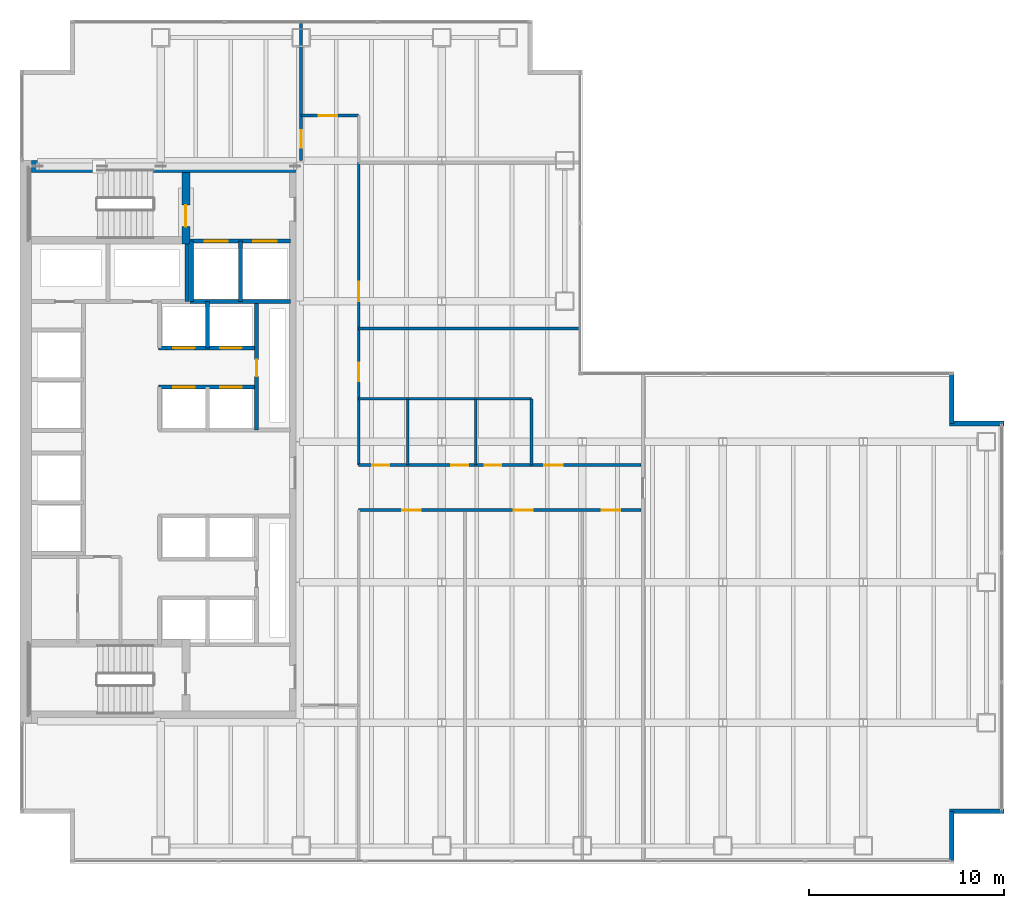
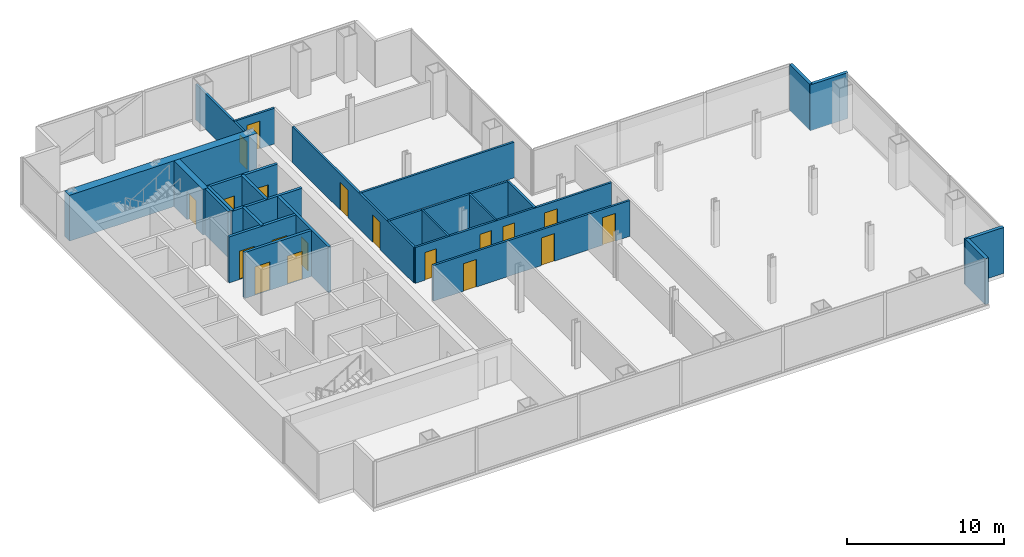
# One storey, part 21 of 24: 25 walls, 19 doors, 19 openings.
"""IFC4 building model written with IfcOpenShell, lengths in metres."""

from ifc_helpers import new_model, si_unit, direction, frame, frame_2d, origin, place, context, subcontext, project, spatial, rectangle, extrude, material, layer, layer_set, type_object, element, fill, save


model = new_model("IFC4")

# Units and contexts
model_context = context("Model", 3, precision=1e-05, world=origin(), true_north=direction((0.0, 1.0)))
body_context = subcontext(model_context, "Body", "Model", "MODEL_VIEW")
ifc_project = project(units=[si_unit("LENGTHUNIT", "METRE"), si_unit("AREAUNIT", "SQUARE_METRE"), si_unit("VOLUMEUNIT", "CUBIC_METRE"), si_unit("PLANEANGLEUNIT", "RADIAN"), si_unit("MASSUNIT", "GRAM", prefix="KILO")], contexts=[model_context])

# Site, building, storey
site_placement = place(None, origin())
site = spatial("IfcSite", under=ifc_project, at=site_placement, CompositionType="ELEMENT")
building_placement = place(site_placement, origin())
building = spatial("IfcBuilding", under=site, at=building_placement, Name="Cobrela Telecom Tower", CompositionType="ELEMENT")
storey_placement = place(building_placement, frame((0.0, 0.0, 77.35009765625)))
storey = spatial("IfcBuildingStorey", under=building, at=storey_placement, Name="L19", CompositionType="ELEMENT", Elevation=77.35009765625)

# Walls
ifc_material_1 = material(Name="Concrete C50/60", Category="concrete")
ifc_layer_1 = layer(ifc_material_1, 0.60009765625)
ifc_layer_set_1 = layer_set([ifc_layer_1], Name="Concrete C50/60")
wall_type_1 = type_object("IfcWallType", Name="WALL-CORE-C50-600", PredefinedType="SHEAR", material=ifc_layer_set_1)
wall_1_placement = place(storey_placement, frame((0.60009765625, 35.699951171875, 0.0), z_axis=(0.0, 0.0, 1.0), x_axis=(1.0, 0.0, 0.0)))
element("IfcWall", 1, at=wall_1_placement, inside=storey, type_object=wall_type_1, Name="L19 North Core Shear Wall", PredefinedType="SHEAR", context=body_context, shape_type="SweptSolid", body=[
    extrude(rectangle(XDim=13.7998046875, YDim=0.60009765625, at=frame_2d((6.89990234375, 0.0))), origin(), (0.0, 0.0, 1.0), 3.56982421875),
])
ifc_material_2 = material(Name="Concrete C40/50", Category="concrete")
ifc_layer_2 = layer(ifc_material_2, 0.239990234375)
ifc_layer_set_2 = layer_set([ifc_layer_2], Name="Concrete C40/50")
wall_type_2 = type_object("IfcWallType", Name="WALL-EXT-300", PredefinedType="STANDARD", material=ifc_layer_set_2)
wall_2_placement = place(storey_placement, frame((47.72998046875, 25.080078125, 0.0), z_axis=(0.0, 0.0, 1.0), x_axis=(0.0, -1.0, 0.0)))
element("IfcWall", 2, at=wall_2_placement, inside=storey, type_object=wall_type_2, Name="L19 Insulated Facade Wall 12", PredefinedType="STANDARD", context=body_context, shape_type="SweptSolid", body=[
    extrude(rectangle(XDim=2.550048828125, YDim=0.239990234375, at=frame_2d((1.27490234375, 0.0))), origin(), (0.0, 0.0, 1.0), 3.56982421875),
])
for number, where, z_axis, x_axis, name in (
    (3, (47.610107421875, 22.530029296875, 0.0), (0.0, 0.0, 1.0), (1.0, 0.0, 0.0), "L19 Insulated Facade Wall 13"),
    (4, (50.39990234375, 2.669921875, 0.0), (0.0, 0.0, 1.0), (-1.0, 0.0, 0.0), "L19 Insulated Facade Wall 15"),
):
    element("IfcWall", number, at=place(storey_placement, frame(where, z_axis=z_axis, x_axis=x_axis)), inside=storey, type_object=wall_type_2, Name=name, PredefinedType="STANDARD", context=body_context, shape_type="SweptSolid", body=[
        extrude(rectangle(XDim=2.789794921875, YDim=0.239990234375, at=frame_2d((1.39501953125, 0.0))), origin(), (0.0, 0.0, 1.0), 3.56982421875),
    ])
wall_3_placement = place(storey_placement, frame((47.72998046875, 2.669921875, 0.0), z_axis=(0.0, 0.0, 1.0), x_axis=(0.0, -1.0, 0.0)))
element("IfcWall", 5, at=wall_3_placement, inside=storey, type_object=wall_type_2, Name="L19 Insulated Facade Wall 16", PredefinedType="STANDARD", context=body_context, shape_type="SweptSolid", body=[
    extrude(rectangle(XDim=2.5498046875, YDim=0.239990234375, at=frame_2d((1.27490234375, 0.0))), origin(), (0.0, 0.0, 1.0), 3.56982421875),
])
ifc_material_3 = material(Name="Fire-Rated Gypsum Plasterboard")
ifc_layer_3 = layer(ifc_material_3, 0.125)
ifc_layer_set_3 = layer_set([ifc_layer_3], Name="Fire-Rated Gypsum Plasterboard")
wall_type_3 = type_object("IfcWallType", Name="WALL-PART-125", PredefinedType="PARTITIONING", material=ifc_layer_set_3)
for number, where, z_axis, x_axis, name in (
    (6, (19.85009765625, 20.39990234375, 0.0), (0.0, 0.0, 1.0), (0.0, 1.0, 0.0), "L19 Interior Partition W-WCV-1"),
    (7, (23.35009765625, 20.39990234375, 0.0), (0.0, 0.0, 1.0), (0.0, 1.0, 0.0), "L19 Interior Partition W-WCV-2"),
):
    element("IfcWall", number, at=place(storey_placement, frame(where, z_axis=z_axis, x_axis=x_axis)), inside=storey, type_object=wall_type_3, Name=name, PredefinedType="PARTITIONING", context=body_context, shape_type="SweptSolid", body=[
        extrude(rectangle(XDim=3.400146484375, YDim=0.125, at=frame_2d((1.7001953125, 0.0))), origin(), (0.0, 0.0, 1.0), 2.782958984375),
    ])

# Wall, openings, doors
ifc_layer_4 = layer(ifc_material_3, 0.14990234375)
ifc_layer_set_4 = layer_set([ifc_layer_4], Name="Fire-Rated Gypsum Plasterboard")
wall_type_4 = type_object("IfcWallType", Name="WALL-PART-150", PredefinedType="PARTITIONING", material=ifc_layer_set_4)
wall_4_placement = place(storey_placement, frame((17.35009765625, 20.39990234375, 0.0), z_axis=(0.0, 0.0, 1.0), x_axis=(0.0, 1.0, 0.0)))
wall_4 = element("IfcWall", 8, at=wall_4_placement, inside=storey, type_object=wall_type_4, Name="L19 Interior Partition W-C-E2", PredefinedType="PARTITIONING", context=body_context, shape_type="SweptSolid", body=[
    extrude(rectangle(XDim=15.5, YDim=0.14990234375, at=frame_2d((7.75, 0.0))), origin(), (0.0, 0.0, 1.0), 2.782958984375),
])
opening_1_placement = place(wall_4_placement, frame((4.300048828125, 0.0, 0.0)))
opening_1 = element("IfcOpeningElement", 9, at=opening_1_placement, cuts=wall_4, Name="Opening DR-67", PredefinedType="OPENING", context=body_context, shape_type="SweptSolid", body=[
    extrude(rectangle(XDim=0.949951171875, YDim=2.14990234375, at=frame_2d((0.47509765625, 1.074951171875))), frame((0.0, 0.0869140625, 0.0), z_axis=(0.0, -1.0, 0.0), x_axis=(1.0, 0.0, 0.0)), (0.0, 0.0, 1.0), 0.173828125),
])
opening_2_placement = place(wall_4_placement, frame((8.39990234375, 0.0, 0.0)))
opening_2 = element("IfcOpeningElement", 10, at=opening_2_placement, cuts=wall_4, Name="Opening DR-31", PredefinedType="OPENING", context=body_context, shape_type="SweptSolid", body=[
    extrude(rectangle(XDim=1.0, YDim=2.14990234375, at=frame_2d((0.5, 1.074951171875))), frame((0.0, 0.0869140625, 0.0), z_axis=(0.0, -1.0, 0.0), x_axis=(1.0, 0.0, 0.0)), (0.0, 0.0, 1.0), 0.173828125),
])
ifc_material_4 = material(Name="Solid Engineered Oak Timber", Category="wood")
door_type_1 = type_object("IfcDoorType", Name="DOOR-INT-1000", OperationType="SINGLE_SWING_LEFT", PredefinedType="DOOR", material=ifc_material_4)
door_1_placement = place(opening_2_placement, origin())
door_1 = element("IfcDoor", 11, at=door_1_placement, inside=storey, type_object=door_type_1, Name="L19 Door DR-31", OperationType="SINGLE_SWING_LEFT", OverallHeight=2.14990234375, OverallWidth=1.0, PredefinedType="DOOR", context=body_context, shape_type="SweptSolid", body=[
    extrude(rectangle(XDim=1.0, YDim=2.14990234375, at=frame_2d((0.5, 1.074951171875))), frame((0.0, 0.02490234375, 0.0), z_axis=(0.0, -1.0, 0.0), x_axis=(1.0, 0.0, 0.0)), (0.0, 0.0, 1.0), 0.050048828125),
])
fill(opening_2, door_1)
door_type_2 = type_object("IfcDoorType", Name="DOOR-INT-950", OperationType="SINGLE_SWING_LEFT", PredefinedType="DOOR", material=ifc_material_4)
door_2_placement = place(opening_1_placement, origin())
door_2 = element("IfcDoor", 12, at=door_2_placement, inside=storey, type_object=door_type_2, Name="L19 Door DR-67", OperationType="SINGLE_SWING_RIGHT", OverallHeight=2.14990234375, OverallWidth=0.949951171875, PredefinedType="DOOR", context=body_context, shape_type="SweptSolid", body=[
    extrude(rectangle(XDim=0.949951171875, YDim=2.14990234375, at=frame_2d((0.47509765625, 1.074951171875))), frame((0.0, 0.02490234375, 0.0), z_axis=(0.0, -1.0, 0.0), x_axis=(1.0, 0.0, 0.0)), (0.0, 0.0, 1.0), 0.050048828125),
])
fill(opening_1, door_2)

wall_5_placement = place(storey_placement, frame((17.35009765625, 18.10009765625, 0.0), z_axis=(0.0, 0.0, 1.0), x_axis=(1.0, 0.0, 0.0)))
wall_5 = element("IfcWall", 13, at=wall_5_placement, inside=storey, type_object=wall_type_4, Name="L19 Interior Partition W-C-HS", PredefinedType="PARTITIONING", context=body_context, shape_type="SweptSolid", body=[
    extrude(rectangle(XDim=14.449951171875, YDim=0.14990234375, at=frame_2d((7.22509765625, 0.0))), origin(), (0.0, 0.0, 1.0), 2.782958984375),
])
opening_3_placement = place(wall_5_placement, frame((2.22998046875, 0.0, 0.0)))
opening_3 = element("IfcOpeningElement", 14, at=opening_3_placement, cuts=wall_5, Name="Opening DR-67", PredefinedType="OPENING", context=body_context, shape_type="SweptSolid", body=[
    extrude(rectangle(XDim=0.949951171875, YDim=2.14990234375, at=frame_2d((0.47509765625, 1.074951171875))), frame((0.0, 0.0869140625, 0.0), z_axis=(0.0, -1.0, 0.0), x_axis=(1.0, 0.0, 0.0)), (0.0, 0.0, 1.0), 0.173828125),
])
opening_4_placement = place(wall_5_placement, frame((7.949951171875, 0.0, 0.0)))
opening_4 = element("IfcOpeningElement", 15, at=opening_4_placement, cuts=wall_5, Name="Opening DR-67", PredefinedType="OPENING", context=body_context, shape_type="SweptSolid", body=[
    extrude(rectangle(XDim=0.949951171875, YDim=2.14990234375, at=frame_2d((0.47509765625, 1.074951171875))), frame((0.0, 0.0869140625, 0.0), z_axis=(0.0, -1.0, 0.0), x_axis=(1.0, 0.0, 0.0)), (0.0, 0.0, 1.0), 0.173828125),
])
opening_5_placement = place(wall_5_placement, frame((12.449951171875, 0.0, 0.0)))
opening_5 = element("IfcOpeningElement", 16, at=opening_5_placement, cuts=wall_5, Name="Opening DR-67", PredefinedType="OPENING", context=body_context, shape_type="SweptSolid", body=[
    extrude(rectangle(XDim=0.949951171875, YDim=2.14990234375, at=frame_2d((0.47509765625, 1.074951171875))), frame((0.0, 0.0869140625, 0.0), z_axis=(0.0, -1.0, 0.0), x_axis=(1.0, 0.0, 0.0)), (0.0, 0.0, 1.0), 0.173828125),
])
door_3_placement = place(opening_3_placement, origin())
door_3 = element("IfcDoor", 17, at=door_3_placement, inside=storey, type_object=door_type_2, Name="L19 Door DR-67", OperationType="SINGLE_SWING_LEFT", OverallHeight=2.14990234375, OverallWidth=0.949951171875, PredefinedType="DOOR", context=body_context, shape_type="SweptSolid", body=[
    extrude(rectangle(XDim=0.949951171875, YDim=2.14990234375, at=frame_2d((0.47509765625, 1.074951171875))), frame((0.0, 0.02490234375, 0.0), z_axis=(0.0, -1.0, 0.0), x_axis=(1.0, 0.0, 0.0)), (0.0, 0.0, 1.0), 0.050048828125),
])
fill(opening_3, door_3)
door_4_placement = place(opening_4_placement, origin())
door_4 = element("IfcDoor", 18, at=door_4_placement, inside=storey, type_object=door_type_2, Name="L19 Door DR-67", OperationType="SINGLE_SWING_RIGHT", OverallHeight=2.14990234375, OverallWidth=0.949951171875, PredefinedType="DOOR", context=body_context, shape_type="SweptSolid", body=[
    extrude(rectangle(XDim=0.949951171875, YDim=2.14990234375, at=frame_2d((0.47509765625, 1.074951171875))), frame((0.0, 0.02490234375, 0.0), z_axis=(0.0, -1.0, 0.0), x_axis=(1.0, 0.0, 0.0)), (0.0, 0.0, 1.0), 0.050048828125),
])
fill(opening_4, door_4)
door_5_placement = place(opening_5_placement, origin())
door_5 = element("IfcDoor", 19, at=door_5_placement, inside=storey, type_object=door_type_2, Name="L19 Door DR-67", OperationType="SINGLE_SWING_LEFT", OverallHeight=2.14990234375, OverallWidth=0.949951171875, PredefinedType="DOOR", context=body_context, shape_type="SweptSolid", body=[
    extrude(rectangle(XDim=0.949951171875, YDim=2.14990234375, at=frame_2d((0.47509765625, 1.074951171875))), frame((0.0, 0.02490234375, 0.0), z_axis=(0.0, -1.0, 0.0), x_axis=(1.0, 0.0, 0.0)), (0.0, 0.0, 1.0), 0.050048828125),
])
fill(opening_5, door_5)

wall_6_placement = place(storey_placement, frame((17.35009765625, 20.39990234375, 0.0), z_axis=(0.0, 0.0, 1.0), x_axis=(1.0, 0.0, 0.0)))
wall_6 = element("IfcWall", 20, at=wall_6_placement, inside=storey, type_object=wall_type_4, Name="L19 Interior Partition W-C-HN", PredefinedType="PARTITIONING", context=body_context, shape_type="SweptSolid", body=[
    extrude(rectangle(XDim=14.449951171875, YDim=0.14990234375, at=frame_2d((7.22509765625, 0.0))), origin(), (0.0, 0.0, 1.0), 2.782958984375),
])
opening_6_placement = place(wall_6_placement, frame((0.699951171875, 0.0, 0.0)))
opening_6 = element("IfcOpeningElement", 21, at=opening_6_placement, cuts=wall_6, Name="Opening DR-11", PredefinedType="OPENING", context=body_context, shape_type="SweptSolid", body=[
    extrude(rectangle(XDim=0.85009765625, YDim=2.14990234375, at=frame_2d((0.425048828125, 1.074951171875))), frame((0.0, 0.0869140625, 0.0), z_axis=(0.0, -1.0, 0.0), x_axis=(1.0, 0.0, 0.0)), (0.0, 0.0, 1.0), 0.173828125),
])
opening_7_placement = place(wall_6_placement, frame((4.75, 0.0, 0.0)))
opening_7 = element("IfcOpeningElement", 22, at=opening_7_placement, cuts=wall_6, Name="Opening DR-11", PredefinedType="OPENING", context=body_context, shape_type="SweptSolid", body=[
    extrude(rectangle(XDim=0.85009765625, YDim=2.14990234375, at=frame_2d((0.425048828125, 1.074951171875))), frame((0.0, 0.0869140625, 0.0), z_axis=(0.0, -1.0, 0.0), x_axis=(1.0, 0.0, 0.0)), (0.0, 0.0, 1.0), 0.173828125),
])
opening_8_placement = place(wall_6_placement, frame((6.4599609375, 0.0, 0.0)))
opening_8 = element("IfcOpeningElement", 23, at=opening_8_placement, cuts=wall_6, Name="Opening DR-11", PredefinedType="OPENING", context=body_context, shape_type="SweptSolid", body=[
    extrude(rectangle(XDim=0.85009765625, YDim=2.14990234375, at=frame_2d((0.425048828125, 1.074951171875))), frame((0.0, 0.0869140625, 0.0), z_axis=(0.0, -1.0, 0.0), x_axis=(1.0, 0.0, 0.0)), (0.0, 0.0, 1.0), 0.173828125),
])
opening_9_placement = place(wall_6_placement, frame((9.5, 0.0, 0.0)))
opening_9 = element("IfcOpeningElement", 24, at=opening_9_placement, cuts=wall_6, Name="Opening DR-67", PredefinedType="OPENING", context=body_context, shape_type="SweptSolid", body=[
    extrude(rectangle(XDim=0.949951171875, YDim=2.14990234375, at=frame_2d((0.47509765625, 1.074951171875))), frame((0.0, 0.0869140625, 0.0), z_axis=(0.0, -1.0, 0.0), x_axis=(1.0, 0.0, 0.0)), (0.0, 0.0, 1.0), 0.173828125),
])
door_type_3 = type_object("IfcDoorType", Name="DOOR-INT-850", OperationType="SINGLE_SWING_LEFT", PredefinedType="DOOR", material=ifc_material_4)
door_6_placement = place(opening_6_placement, origin())
door_6 = element("IfcDoor", 25, at=door_6_placement, inside=storey, type_object=door_type_3, Name="L19 Door DR-11", OperationType="SINGLE_SWING_LEFT", OverallHeight=2.14990234375, OverallWidth=0.85009765625, PredefinedType="DOOR", context=body_context, shape_type="SweptSolid", body=[
    extrude(rectangle(XDim=0.85009765625, YDim=2.14990234375, at=frame_2d((0.425048828125, 1.074951171875))), frame((0.0, 0.02490234375, 0.0), z_axis=(0.0, -1.0, 0.0), x_axis=(1.0, 0.0, 0.0)), (0.0, 0.0, 1.0), 0.050048828125),
])
fill(opening_6, door_6)
door_7_placement = place(opening_7_placement, origin())
door_7 = element("IfcDoor", 26, at=door_7_placement, inside=storey, type_object=door_type_3, Name="L19 Door DR-11", OperationType="SINGLE_SWING_RIGHT", OverallHeight=2.14990234375, OverallWidth=0.85009765625, PredefinedType="DOOR", context=body_context, shape_type="SweptSolid", body=[
    extrude(rectangle(XDim=0.85009765625, YDim=2.14990234375, at=frame_2d((0.425048828125, 1.074951171875))), frame((0.0, 0.02490234375, 0.0), z_axis=(0.0, -1.0, 0.0), x_axis=(1.0, 0.0, 0.0)), (0.0, 0.0, 1.0), 0.050048828125),
])
fill(opening_7, door_7)
door_8_placement = place(opening_8_placement, origin())
door_8 = element("IfcDoor", 27, at=door_8_placement, inside=storey, type_object=door_type_3, Name="L19 Door DR-11", OperationType="SINGLE_SWING_LEFT", OverallHeight=2.14990234375, OverallWidth=0.85009765625, PredefinedType="DOOR", context=body_context, shape_type="SweptSolid", body=[
    extrude(rectangle(XDim=0.85009765625, YDim=2.14990234375, at=frame_2d((0.425048828125, 1.074951171875))), frame((0.0, 0.02490234375, 0.0), z_axis=(0.0, -1.0, 0.0), x_axis=(1.0, 0.0, 0.0)), (0.0, 0.0, 1.0), 0.050048828125),
])
fill(opening_8, door_8)
door_9_placement = place(opening_9_placement, origin())
door_9 = element("IfcDoor", 28, at=door_9_placement, inside=storey, type_object=door_type_2, Name="L19 Door DR-67", OperationType="SINGLE_SWING_RIGHT", OverallHeight=2.14990234375, OverallWidth=0.949951171875, PredefinedType="DOOR", context=body_context, shape_type="SweptSolid", body=[
    extrude(rectangle(XDim=0.949951171875, YDim=2.14990234375, at=frame_2d((0.47509765625, 1.074951171875))), frame((0.0, 0.02490234375, 0.0), z_axis=(0.0, -1.0, 0.0), x_axis=(1.0, 0.0, 0.0)), (0.0, 0.0, 1.0), 0.050048828125),
])
fill(opening_9, door_9)

# Wall, opening, door
wall_7_placement = place(storey_placement, frame((14.39990234375, 36.0, 0.0), z_axis=(0.0, 0.0, 1.0), x_axis=(0.0, 1.0, 0.0)))
wall_7 = element("IfcWall", 29, at=wall_7_placement, inside=storey, type_object=wall_type_4, Name="L19 Interior Partition W-CN-W", PredefinedType="PARTITIONING", context=body_context, shape_type="SweptSolid", body=[
    extrude(rectangle(XDim=7.080078125, YDim=0.14990234375, at=frame_2d((3.5400390625, 0.0))), origin(), (0.0, 0.0, 1.0), 2.782958984375),
])
opening_10_placement = place(wall_7_placement, frame((0.64990234375, 0.0, 0.0)))
opening_10 = element("IfcOpeningElement", 30, at=opening_10_placement, cuts=wall_7, Name="Opening DR-41", PredefinedType="OPENING", context=body_context, shape_type="SweptSolid", body=[
    extrude(rectangle(XDim=0.89990234375, YDim=2.14990234375, at=frame_2d((0.449951171875, 1.074951171875))), frame((0.0, 0.0869140625, 0.0), z_axis=(0.0, -1.0, 0.0), x_axis=(1.0, 0.0, 0.0)), (0.0, 0.0, 1.0), 0.173828125),
])
door_type_4 = type_object("IfcDoorType", Name="DOOR-INT-900", OperationType="SINGLE_SWING_LEFT", PredefinedType="DOOR", material=ifc_material_4)
door_10_placement = place(opening_10_placement, origin())
door_10 = element("IfcDoor", 31, at=door_10_placement, inside=storey, type_object=door_type_4, Name="L19 Door DR-41", OperationType="SINGLE_SWING_LEFT", OverallHeight=2.14990234375, OverallWidth=0.89990234375, PredefinedType="DOOR", context=body_context, shape_type="SweptSolid", body=[
    extrude(rectangle(XDim=0.89990234375, YDim=2.14990234375, at=frame_2d((0.449951171875, 1.074951171875))), frame((0.0, 0.02490234375, 0.0), z_axis=(0.0, -1.0, 0.0), x_axis=(1.0, 0.0, 0.0)), (0.0, 0.0, 1.0), 0.050048828125),
])
fill(opening_10, door_10)

wall_8_placement = place(storey_placement, frame((14.39990234375, 38.300048828125, 0.0), z_axis=(0.0, 0.0, 1.0), x_axis=(1.0, 0.0, 0.0)))
wall_8 = element("IfcWall", 32, at=wall_8_placement, inside=storey, type_object=wall_type_4, Name="L19 Interior Partition W-CN-T", PredefinedType="PARTITIONING", context=body_context, shape_type="SweptSolid", body=[
    extrude(rectangle(XDim=2.9501953125, YDim=0.14990234375, at=frame_2d((1.47509765625, 0.0))), origin(), (0.0, 0.0, 1.0), 2.782958984375),
])
opening_11_placement = place(wall_8_placement, frame((0.89990234375, 0.0, 0.0)))
opening_11 = element("IfcOpeningElement", 33, at=opening_11_placement, cuts=wall_8, Name="Opening DR-67", PredefinedType="OPENING", context=body_context, shape_type="SweptSolid", body=[
    extrude(rectangle(XDim=0.949951171875, YDim=2.14990234375, at=frame_2d((0.47509765625, 1.074951171875))), frame((0.0, 0.0869140625, 0.0), z_axis=(0.0, -1.0, 0.0), x_axis=(1.0, 0.0, 0.0)), (0.0, 0.0, 1.0), 0.173828125),
])
door_11_placement = place(opening_11_placement, origin())
door_11 = element("IfcDoor", 34, at=door_11_placement, inside=storey, type_object=door_type_2, Name="L19 Door DR-67", OperationType="SINGLE_SWING_RIGHT", OverallHeight=2.14990234375, OverallWidth=0.949951171875, PredefinedType="DOOR", context=body_context, shape_type="SweptSolid", body=[
    extrude(rectangle(XDim=0.949951171875, YDim=2.14990234375, at=frame_2d((0.47509765625, 1.074951171875))), frame((0.0, 0.02490234375, 0.0), z_axis=(0.0, -1.0, 0.0), x_axis=(1.0, 0.0, 0.0)), (0.0, 0.0, 1.0), 0.050048828125),
])
fill(opening_11, door_11)

# Walls
wall_9_placement = place(storey_placement, frame((17.35009765625, 23.800048828125, 0.0), z_axis=(0.0, 0.0, 1.0), x_axis=(1.0, 0.0, 0.0)))
element("IfcWall", 35, at=wall_9_placement, inside=storey, type_object=wall_type_4, Name="L19 Interior Partition W-WC-N", PredefinedType="PARTITIONING", context=body_context, shape_type="SweptSolid", body=[
    extrude(rectangle(XDim=8.849853515625, YDim=0.14990234375, at=frame_2d((4.4248046875, 0.0))), origin(), (0.0, 0.0, 1.0), 2.782958984375),
])
wall_10_placement = place(storey_placement, frame((26.199951171875, 20.39990234375, 0.0), z_axis=(0.0, 0.0, 1.0), x_axis=(0.0, 1.0, 0.0)))
element("IfcWall", 36, at=wall_10_placement, inside=storey, type_object=wall_type_4, Name="L19 Interior Partition W-WC-R", PredefinedType="PARTITIONING", context=body_context, shape_type="SweptSolid", body=[
    extrude(rectangle(XDim=3.400146484375, YDim=0.14990234375, at=frame_2d((1.7001953125, 0.0))), origin(), (0.0, 0.0, 1.0), 2.782958984375),
])
wall_11_placement = place(storey_placement, frame((17.35009765625, 27.39990234375, 0.0), z_axis=(0.0, 0.0, 1.0), x_axis=(1.0, 0.0, 0.0)))
element("IfcWall", 37, at=wall_11_placement, inside=storey, type_object=wall_type_4, Name="L19 Interior Partition W-NPAN-T", PredefinedType="PARTITIONING", context=body_context, shape_type="SweptSolid", body=[
    extrude(rectangle(XDim=11.329833984375, YDim=0.14990234375, at=frame_2d((5.6650390625, 0.0))), origin(), (0.0, 0.0, 1.0), 2.782958984375),
])

# Wall, openings, doors
ifc_layer_5 = layer(ifc_material_3, 0.199951171875)
ifc_layer_set_5 = layer_set([ifc_layer_5], Name="Fire-Rated Gypsum Plasterboard")
wall_type_5 = type_object("IfcWallType", Name="WALL-SHAFT-200", PredefinedType="PARTITIONING", material=ifc_layer_set_5)
wall_12_placement = place(storey_placement, frame((8.699951171875, 31.8798828125, 0.0), z_axis=(0.0, 0.0, 1.0), x_axis=(1.0, 0.0, 0.0)))
wall_12 = element("IfcWall", 38, at=wall_12_placement, inside=storey, type_object=wall_type_5, Name="L19 Shaft Enclosure CW-FFL-S", PredefinedType="PARTITIONING", context=body_context, shape_type="SweptSolid", body=[
    extrude(rectangle(XDim=5.150146484375, YDim=0.199951171875, at=frame_2d((2.5751953125, 0.0))), origin(), (0.0, 0.0, 1.0), 3.56982421875),
])
opening_12_placement = place(wall_12_placement, frame((0.75, 0.0, 0.0)))
opening_12 = element("IfcOpeningElement", 39, at=opening_12_placement, cuts=wall_12, Name="Opening LD-2", PredefinedType="OPENING", context=body_context, shape_type="SweptSolid", body=[
    extrude(rectangle(XDim=1.199951171875, YDim=2.199951171875, at=frame_2d((0.60009765625, 1.10009765625))), frame((0.0, 0.11181640625, 0.0), z_axis=(0.0, -1.0, 0.0), x_axis=(1.0, 0.0, 0.0)), (0.0, 0.0, 1.0), 0.223876953125),
])
opening_13_placement = place(wall_12_placement, frame((3.25, 0.0, 0.0)))
opening_13 = element("IfcOpeningElement", 40, at=opening_13_placement, cuts=wall_12, Name="Opening LD-2", PredefinedType="OPENING", context=body_context, shape_type="SweptSolid", body=[
    extrude(rectangle(XDim=1.199951171875, YDim=2.199951171875, at=frame_2d((0.60009765625, 1.10009765625))), frame((0.0, 0.11181640625, 0.0), z_axis=(0.0, -1.0, 0.0), x_axis=(1.0, 0.0, 0.0)), (0.0, 0.0, 1.0), 0.223876953125),
])
ifc_material_5 = material(Name="Steel ASTM A36", Category="steel")
door_type_5 = type_object("IfcDoorType", Name="DOOR-LD-FFL", OperationType="SINGLE_SWING_LEFT", PredefinedType="DOOR", material=ifc_material_5)
door_12_placement = place(opening_12_placement, origin())
door_12 = element("IfcDoor", 41, at=door_12_placement, inside=storey, type_object=door_type_5, Name="L19 Lift Landing Door LD-2", OperationType="DOUBLE_DOOR_SLIDING", OverallHeight=2.199951171875, OverallWidth=1.199951171875, PredefinedType="DOOR", context=body_context, shape_type="SweptSolid", body=[
    extrude(rectangle(XDim=1.199951171875, YDim=2.199951171875, at=frame_2d((0.60009765625, 1.10009765625))), frame((0.0, 0.02490234375, 0.0), z_axis=(0.0, -1.0, 0.0), x_axis=(1.0, 0.0, 0.0)), (0.0, 0.0, 1.0), 0.050048828125),
])
fill(opening_12, door_12)
door_13_placement = place(opening_13_placement, origin())
door_13 = element("IfcDoor", 42, at=door_13_placement, inside=storey, type_object=door_type_5, Name="L19 Lift Landing Door LD-2", OperationType="DOUBLE_DOOR_SLIDING", OverallHeight=2.199951171875, OverallWidth=1.199951171875, PredefinedType="DOOR", context=body_context, shape_type="SweptSolid", body=[
    extrude(rectangle(XDim=1.199951171875, YDim=2.199951171875, at=frame_2d((0.60009765625, 1.10009765625))), frame((0.0, 0.02490234375, 0.0), z_axis=(0.0, -1.0, 0.0), x_axis=(1.0, 0.0, 0.0)), (0.0, 0.0, 1.0), 0.050048828125),
])
fill(opening_13, door_13)

# Walls
wall_13_placement = place(storey_placement, frame((8.699951171875, 28.780029296875, 0.0), z_axis=(0.0, 0.0, 1.0), x_axis=(1.0, 0.0, 0.0)))
element("IfcWall", 43, at=wall_13_placement, inside=storey, type_object=wall_type_5, Name="L19 Shaft Enclosure CW-FFL-S2", PredefinedType="PARTITIONING", context=body_context, shape_type="SweptSolid", body=[
    extrude(rectangle(XDim=5.150146484375, YDim=0.199951171875, at=frame_2d((2.5751953125, 0.0))), origin(), (0.0, 0.0, 1.0), 3.56982421875),
])
for number, where, z_axis, x_axis, name in (
    (44, (8.780029296875, 28.780029296875, 0.0), (0.0, 0.0, 1.0), (0.0, 1.0, 0.0), "L19 Shaft Enclosure CW-FFL-W"),
    (45, (11.300048828125, 28.780029296875, 0.0), (0.0, 0.0, 1.0), (0.0, 1.0, 0.0), "L19 Shaft Enclosure CW-FFL-M"),
):
    element("IfcWall", number, at=place(storey_placement, frame(where, z_axis=z_axis, x_axis=x_axis)), inside=storey, type_object=wall_type_5, Name=name, PredefinedType="PARTITIONING", context=body_context, shape_type="SweptSolid", body=[
        extrude(rectangle(XDim=3.099853515625, YDim=0.199951171875, at=frame_2d((1.5498046875, 0.0))), origin(), (0.0, 0.0, 1.0), 3.56982421875),
    ])
wall_14_placement = place(storey_placement, frame((8.550048828125, 28.780029296875, 0.0), z_axis=(0.0, 0.0, 1.0), x_axis=(0.0, 1.0, 0.0)))
element("IfcWall", 46, at=wall_14_placement, inside=storey, type_object=wall_type_5, Name="L19 Shaft Enclosure CW-RIS-E", PredefinedType="PARTITIONING", context=body_context, shape_type="SweptSolid", body=[
    extrude(rectangle(XDim=2.93994140625, YDim=0.199951171875, at=frame_2d((1.469970703125, 0.0))), origin(), (0.0, 0.0, 1.0), 3.56982421875),
])

# Wall, openings, doors
wall_15_placement = place(storey_placement, frame((7.10009765625, 24.39990234375, 0.0), z_axis=(0.0, 0.0, 1.0), x_axis=(1.0, 0.0, 0.0)))
wall_15 = element("IfcWall", 47, at=wall_15_placement, inside=storey, type_object=wall_type_5, Name="L19 Shaft Enclosure CW-PLL-S", PredefinedType="PARTITIONING", context=body_context, shape_type="SweptSolid", body=[
    extrude(rectangle(XDim=5.02001953125, YDim=0.199951171875, at=frame_2d((2.510009765625, 0.0))), origin(), (0.0, 0.0, 1.0), 3.56982421875),
])
opening_14_placement = place(wall_15_placement, frame((0.75, 0.0, 0.0)))
opening_14 = element("IfcOpeningElement", 48, at=opening_14_placement, cuts=wall_15, Name="Opening LD-1", PredefinedType="OPENING", context=body_context, shape_type="SweptSolid", body=[
    extrude(rectangle(XDim=1.10009765625, YDim=2.199951171875, at=frame_2d((0.550048828125, 1.10009765625))), frame((0.0, 0.11181640625, 0.0), z_axis=(0.0, -1.0, 0.0), x_axis=(1.0, 0.0, 0.0)), (0.0, 0.0, 1.0), 0.223876953125),
])
opening_15_placement = place(wall_15_placement, frame((3.14990234375, 0.0, 0.0)))
opening_15 = element("IfcOpeningElement", 49, at=opening_15_placement, cuts=wall_15, Name="Opening LD-1", PredefinedType="OPENING", context=body_context, shape_type="SweptSolid", body=[
    extrude(rectangle(XDim=1.10009765625, YDim=2.199951171875, at=frame_2d((0.550048828125, 1.10009765625))), frame((0.0, 0.11181640625, 0.0), z_axis=(0.0, -1.0, 0.0), x_axis=(1.0, 0.0, 0.0)), (0.0, 0.0, 1.0), 0.223876953125),
])
door_type_6 = type_object("IfcDoorType", Name="DOOR-LD-PL", OperationType="SINGLE_SWING_LEFT", PredefinedType="DOOR", material=ifc_material_5)
door_14_placement = place(opening_14_placement, origin())
door_14 = element("IfcDoor", 50, at=door_14_placement, inside=storey, type_object=door_type_6, Name="L19 Lift Landing Door LD-1", OperationType="DOUBLE_DOOR_SLIDING", OverallHeight=2.199951171875, OverallWidth=1.10009765625, PredefinedType="DOOR", context=body_context, shape_type="SweptSolid", body=[
    extrude(rectangle(XDim=1.10009765625, YDim=2.199951171875, at=frame_2d((0.550048828125, 1.10009765625))), frame((0.0, 0.02490234375, 0.0), z_axis=(0.0, -1.0, 0.0), x_axis=(1.0, 0.0, 0.0)), (0.0, 0.0, 1.0), 0.050048828125),
])
fill(opening_14, door_14)
door_15_placement = place(opening_15_placement, origin())
door_15 = element("IfcDoor", 51, at=door_15_placement, inside=storey, type_object=door_type_6, Name="L19 Lift Landing Door LD-1", OperationType="DOUBLE_DOOR_SLIDING", OverallHeight=2.199951171875, OverallWidth=1.10009765625, PredefinedType="DOOR", context=body_context, shape_type="SweptSolid", body=[
    extrude(rectangle(XDim=1.10009765625, YDim=2.199951171875, at=frame_2d((0.550048828125, 1.10009765625))), frame((0.0, 0.02490234375, 0.0), z_axis=(0.0, -1.0, 0.0), x_axis=(1.0, 0.0, 0.0)), (0.0, 0.0, 1.0), 0.050048828125),
])
fill(opening_15, door_15)

wall_16_placement = place(storey_placement, frame((7.10009765625, 26.39990234375, 0.0), z_axis=(0.0, 0.0, 1.0), x_axis=(1.0, 0.0, 0.0)))
wall_16 = element("IfcWall", 52, at=wall_16_placement, inside=storey, type_object=wall_type_5, Name="L19 Shaft Enclosure CW-PLL-N", PredefinedType="PARTITIONING", context=body_context, shape_type="SweptSolid", body=[
    extrude(rectangle(XDim=5.02001953125, YDim=0.199951171875, at=frame_2d((2.510009765625, 0.0))), origin(), (0.0, 0.0, 1.0), 3.56982421875),
])
opening_16_placement = place(wall_16_placement, frame((0.75, 0.0, 0.0)))
opening_16 = element("IfcOpeningElement", 53, at=opening_16_placement, cuts=wall_16, Name="Opening LD-1", PredefinedType="OPENING", context=body_context, shape_type="SweptSolid", body=[
    extrude(rectangle(XDim=1.10009765625, YDim=2.199951171875, at=frame_2d((0.550048828125, 1.10009765625))), frame((0.0, 0.11181640625, 0.0), z_axis=(0.0, -1.0, 0.0), x_axis=(1.0, 0.0, 0.0)), (0.0, 0.0, 1.0), 0.223876953125),
])
opening_17_placement = place(wall_16_placement, frame((3.14990234375, 0.0, 0.0)))
opening_17 = element("IfcOpeningElement", 54, at=opening_17_placement, cuts=wall_16, Name="Opening LD-1", PredefinedType="OPENING", context=body_context, shape_type="SweptSolid", body=[
    extrude(rectangle(XDim=1.10009765625, YDim=2.199951171875, at=frame_2d((0.550048828125, 1.10009765625))), frame((0.0, 0.11181640625, 0.0), z_axis=(0.0, -1.0, 0.0), x_axis=(1.0, 0.0, 0.0)), (0.0, 0.0, 1.0), 0.223876953125),
])
door_16_placement = place(opening_16_placement, origin())
door_16 = element("IfcDoor", 55, at=door_16_placement, inside=storey, type_object=door_type_6, Name="L19 Lift Landing Door LD-1", OperationType="DOUBLE_DOOR_SLIDING", OverallHeight=2.199951171875, OverallWidth=1.10009765625, PredefinedType="DOOR", context=body_context, shape_type="SweptSolid", body=[
    extrude(rectangle(XDim=1.10009765625, YDim=2.199951171875, at=frame_2d((0.550048828125, 1.10009765625))), frame((0.0, 0.02490234375, 0.0), z_axis=(0.0, -1.0, 0.0), x_axis=(1.0, 0.0, 0.0)), (0.0, 0.0, 1.0), 0.050048828125),
])
fill(opening_16, door_16)
door_17_placement = place(opening_17_placement, origin())
door_17 = element("IfcDoor", 56, at=door_17_placement, inside=storey, type_object=door_type_6, Name="L19 Lift Landing Door LD-1", OperationType="DOUBLE_DOOR_SLIDING", OverallHeight=2.199951171875, OverallWidth=1.10009765625, PredefinedType="DOOR", context=body_context, shape_type="SweptSolid", body=[
    extrude(rectangle(XDim=1.10009765625, YDim=2.199951171875, at=frame_2d((0.550048828125, 1.10009765625))), frame((0.0, 0.02490234375, 0.0), z_axis=(0.0, -1.0, 0.0), x_axis=(1.0, 0.0, 0.0)), (0.0, 0.0, 1.0), 0.050048828125),
])
fill(opening_17, door_17)

# Wall
wall_17_placement = place(storey_placement, frame((9.60009765625, 26.39990234375, 0.0), z_axis=(0.0, 0.0, 1.0), x_axis=(0.0, 1.0, 0.0)))
element("IfcWall", 57, at=wall_17_placement, inside=storey, type_object=wall_type_5, Name="L19 Shaft Enclosure CW-PLL-V2B", PredefinedType="PARTITIONING", context=body_context, shape_type="SweptSolid", body=[
    extrude(rectangle(XDim=2.380126953125, YDim=0.199951171875, at=frame_2d((1.18994140625, 0.0))), origin(), (0.0, 0.0, 1.0), 3.56982421875),
])

# Wall, opening, door
wall_18_placement = place(storey_placement, frame((12.1201171875, 22.199951171875, 0.0), z_axis=(0.0, 0.0, 1.0), x_axis=(0.0, 1.0, 0.0)))
wall_18 = element("IfcWall", 58, at=wall_18_placement, inside=storey, type_object=wall_type_5, Name="L19 Shaft Enclosure CW-PLL-V3", PredefinedType="PARTITIONING", context=body_context, shape_type="SweptSolid", body=[
    extrude(rectangle(XDim=6.580078125, YDim=0.199951171875, at=frame_2d((3.2900390625, 0.0))), origin(), (0.0, 0.0, 1.0), 3.56982421875),
])
opening_18_placement = place(wall_18_placement, frame((2.75, 0.0, 0.0)))
opening_18 = element("IfcOpeningElement", 59, at=opening_18_placement, cuts=wall_18, Name="Opening DR-11", PredefinedType="OPENING", context=body_context, shape_type="SweptSolid", body=[
    extrude(rectangle(XDim=0.85009765625, YDim=2.14990234375, at=frame_2d((0.425048828125, 1.074951171875))), frame((0.0, 0.11181640625, 0.0), z_axis=(0.0, -1.0, 0.0), x_axis=(1.0, 0.0, 0.0)), (0.0, 0.0, 1.0), 0.223876953125),
])
door_18_placement = place(opening_18_placement, origin())
door_18 = element("IfcDoor", 60, at=door_18_placement, inside=storey, type_object=door_type_3, Name="L19 Door DR-11", OperationType="SINGLE_SWING_LEFT", OverallHeight=2.14990234375, OverallWidth=0.85009765625, PredefinedType="DOOR", context=body_context, shape_type="SweptSolid", body=[
    extrude(rectangle(XDim=0.85009765625, YDim=2.14990234375, at=frame_2d((0.425048828125, 1.074951171875))), frame((0.0, 0.02490234375, 0.0), z_axis=(0.0, -1.0, 0.0), x_axis=(1.0, 0.0, 0.0)), (0.0, 0.0, 1.0), 0.050048828125),
])
fill(opening_18, door_18)

ifc_layer_6 = layer(ifc_material_2, 0.39990234375)
ifc_layer_set_6 = layer_set([ifc_layer_6], Name="Concrete C40/50")
wall_type_6 = type_object("IfcWallType", Name="WALL-SHAFT-C40-400", PredefinedType="SHEAR", material=ifc_layer_set_6)
wall_19_placement = place(storey_placement, frame((8.5, 31.719970703125, 0.0), z_axis=(0.0, 0.0, 1.0), x_axis=(0.0, 1.0, 0.0)))
wall_19 = element("IfcWall", 61, at=wall_19_placement, inside=storey, type_object=wall_type_6, Name="L19 North Stair Lobby Shear Wall", PredefinedType="SHEAR", context=body_context, shape_type="SweptSolid", body=[
    extrude(rectangle(XDim=3.679931640625, YDim=0.39990234375, at=frame_2d((1.83984375, 0.0))), origin(), (0.0, 0.0, 1.0), 3.56982421875),
])
opening_19_placement = place(wall_19_placement, frame((0.89990234375, 0.0, 0.0)))
opening_19 = element("IfcOpeningElement", 62, at=opening_19_placement, cuts=wall_19, Name="Opening DR-59", PredefinedType="OPENING", context=body_context, shape_type="SweptSolid", body=[
    extrude(rectangle(XDim=1.10009765625, YDim=2.14990234375, at=frame_2d((0.550048828125, 1.074951171875))), frame((0.0, 0.2119140625, 0.0), z_axis=(0.0, -1.0, 0.0), x_axis=(1.0, 0.0, 0.0)), (0.0, 0.0, 1.0), 0.423828125),
])
door_type_7 = type_object("IfcDoorType", Name="DOOR-FD60-1100", OperationType="SINGLE_SWING_LEFT", PredefinedType="DOOR", material=ifc_material_5)
door_19_placement = place(opening_19_placement, origin())
door_19 = element("IfcDoor", 63, at=door_19_placement, inside=storey, type_object=door_type_7, Name="L19 Door DR-59", OperationType="SINGLE_SWING_RIGHT", OverallHeight=2.14990234375, OverallWidth=1.10009765625, PredefinedType="DOOR", context=body_context, shape_type="SweptSolid", body=[
    extrude(rectangle(XDim=1.10009765625, YDim=2.14990234375, at=frame_2d((0.550048828125, 1.074951171875))), frame((0.0, 0.02490234375, 0.0), z_axis=(0.0, -1.0, 0.0), x_axis=(1.0, 0.0, 0.0)), (0.0, 0.0, 1.0), 0.050048828125),
])
fill(opening_19, door_19)

save(model, "model.ifc")
